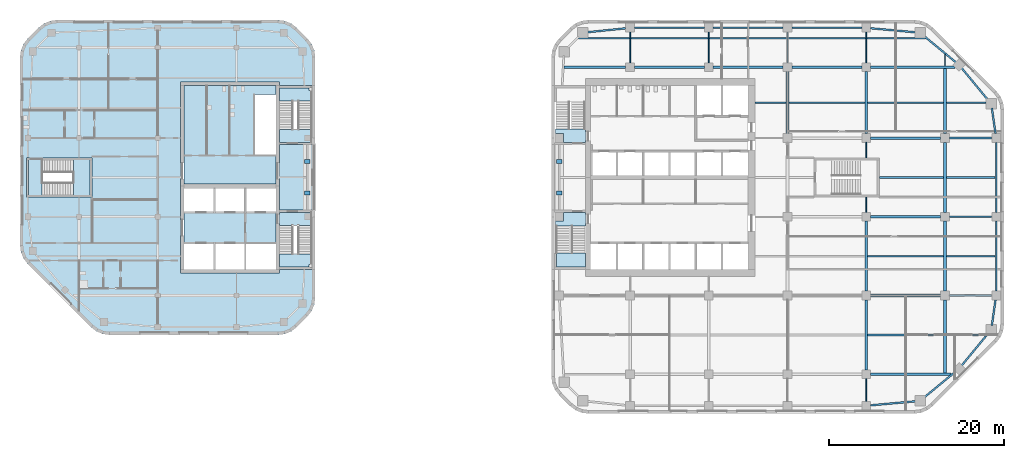
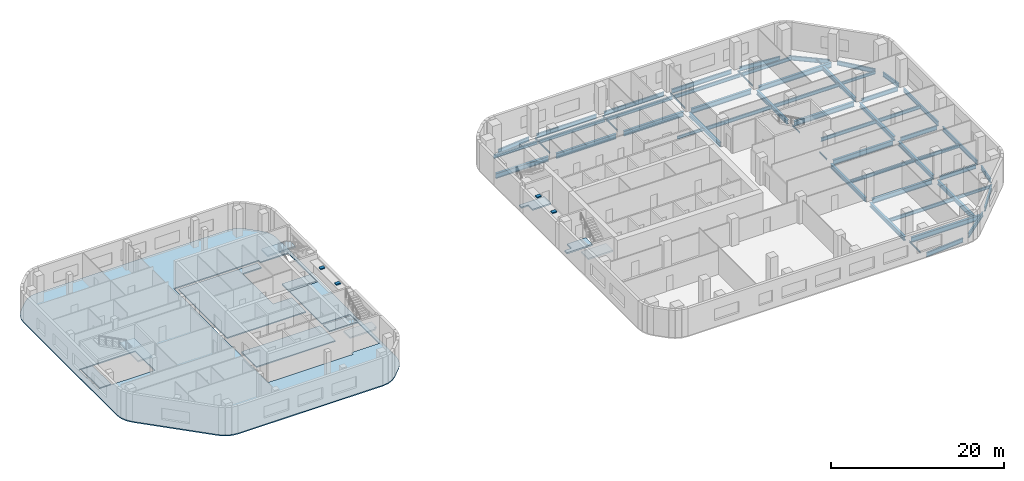
# One storey, part 3 of 14: 57 beams, 12 slabs, 4 members, 5 elements without a shape of their own.
"""IFC4 building model written with IfcOpenShell, lengths in metres."""

from ifc_helpers import new_model, si_unit, direction, frame, origin, origin_2d, place, context, subcontext, project, spatial, polyline, rectangle, i_section, outline, extrude, material, layer, layer_set, material_profile, profile_set, type_object, element, aggregate, save


model = new_model("IFC4")

# Units and contexts
model_context = context("Model", 3, precision=1e-05, world=origin(), true_north=direction((0.0, 1.0)))
body_context = subcontext(model_context, "Body", "Model", "MODEL_VIEW")
ifc_project = project(units=[si_unit("LENGTHUNIT", "METRE"), si_unit("AREAUNIT", "SQUARE_METRE"), si_unit("VOLUMEUNIT", "CUBIC_METRE"), si_unit("PLANEANGLEUNIT", "RADIAN"), si_unit("MASSUNIT", "GRAM", prefix="KILO")], contexts=[model_context])

# Site, building, storey
site_placement = place(None, origin())
site = spatial("IfcSite", under=ifc_project, at=site_placement, CompositionType="ELEMENT")
building_placement = place(site_placement, origin())
building = spatial("IfcBuilding", under=site, at=building_placement, Name="Cinnabar Reach Civic Tower", CompositionType="ELEMENT")
storey_placement = place(building_placement, frame((0.0, 0.0, 136.0)))
storey = spatial("IfcBuildingStorey", under=building, at=storey_placement, Name="L32", CompositionType="ELEMENT", Elevation=136.0)

# Beams
ifc_material_1 = material(Name="Steel Q355B", Category="steel")
ifc_material_profile_1 = material_profile(ifc_material_1, i_section(OverallWidth=0.302, OverallDepth=0.594, WebThickness=0.014, FlangeThickness=0.023, FilletRadius=0.016, at=origin_2d()), Name="HM594x302x14x23")
ifc_profile_set_1 = profile_set([ifc_material_profile_1], Name="Steel Q355B")
beam_type_1 = type_object("IfcBeamType", Name="HM594x302x14x23 beam R 180", PredefinedType="BEAM", material=ifc_profile_set_1)
beam_1_placement = place(storey_placement, frame((27.0, 36.502, -0.447), z_axis=(0.0, 1.0, 0.0), x_axis=(-1.0, 0.0, 0.0)))
element("IfcBeam", 1, at=beam_1_placement, inside=storey, type_object=beam_type_1, Name="Girder T1 L32 13", PredefinedType="BEAM", context=body_context, shape_type="SweptSolid", body=[
    extrude(i_section(OverallWidth=0.302, OverallDepth=0.594, WebThickness=0.014, FlangeThickness=0.023, FilletRadius=0.016, at=origin_2d()), origin(), (0.0, 0.0, 1.0), 7.096),
])
for number, where, z_axis, x_axis, name in (
    (2, (36.0, 9.502, -0.447), (0.0, 1.0, 0.0), (-1.0, 0.0, 0.0), "Girder T1 L32 16"),
    (3, (36.0, 18.502, -0.447), (0.0, 1.0, 0.0), (-1.0, 0.0, 0.0), "Girder T1 L32 17"),
):
    element("IfcBeam", number, at=place(storey_placement, frame(where, z_axis=z_axis, x_axis=x_axis)), inside=storey, type_object=beam_type_1, Name=name, PredefinedType="BEAM", context=body_context, shape_type="SweptSolid", body=[
        extrude(i_section(OverallWidth=0.302, OverallDepth=0.594, WebThickness=0.014, FlangeThickness=0.023, FilletRadius=0.016, at=origin_2d()), origin(), (0.0, 0.0, 1.0), 7.996),
    ])
beam_2_placement = place(storey_placement, frame((36.0, 36.502, -0.447), z_axis=(0.0, 1.0, 0.0), x_axis=(-1.0, 0.0, 0.0)))
element("IfcBeam", 4, at=beam_2_placement, inside=storey, type_object=beam_type_1, Name="Girder T1 L32 20", PredefinedType="BEAM", context=body_context, shape_type="SweptSolid", body=[
    extrude(i_section(OverallWidth=0.302, OverallDepth=0.594, WebThickness=0.014, FlangeThickness=0.023, FilletRadius=0.016, at=origin_2d()), origin(), (0.0, 0.0, 1.0), 7.096),
])
beam_3_placement = place(storey_placement, frame((45.0, 9.152, -0.447), z_axis=(0.0, 1.0, 0.0), x_axis=(-1.0, 0.0, 0.0)))
element("IfcBeam", 5, at=beam_3_placement, inside=storey, type_object=beam_type_1, Name="Girder T1 L32 22", PredefinedType="BEAM", context=body_context, shape_type="SweptSolid", body=[
    extrude(i_section(OverallWidth=0.302, OverallDepth=0.594, WebThickness=0.014, FlangeThickness=0.023, FilletRadius=0.016, at=origin_2d()), origin(), (0.0, 0.0, 1.0), 8.346),
])
for number, where, z_axis, x_axis, name in (
    (6, (45.0, 18.502, -0.447), (0.0, 1.0, 0.0), (-1.0, 0.0, 0.0), "Girder T1 L32 23"),
    (7, (45.0, 27.502, -0.447), (0.0, 1.0, 0.0), (-1.0, 0.0, 0.0), "Girder T1 L32 24"),
):
    element("IfcBeam", number, at=place(storey_placement, frame(where, z_axis=z_axis, x_axis=x_axis)), inside=storey, type_object=beam_type_1, Name=name, PredefinedType="BEAM", context=body_context, shape_type="SweptSolid", body=[
        extrude(i_section(OverallWidth=0.302, OverallDepth=0.594, WebThickness=0.014, FlangeThickness=0.023, FilletRadius=0.016, at=origin_2d()), origin(), (0.0, 0.0, 1.0), 7.996),
    ])
beam_4_placement = place(storey_placement, frame((45.0, 36.502, -0.447), z_axis=(0.0, 1.0, 0.0), x_axis=(-1.0, 0.0, 0.0)))
element("IfcBeam", 8, at=beam_4_placement, inside=storey, type_object=beam_type_1, Name="Girder T1 L32 25", PredefinedType="BEAM", context=body_context, shape_type="SweptSolid", body=[
    extrude(i_section(OverallWidth=0.302, OverallDepth=0.594, WebThickness=0.014, FlangeThickness=0.023, FilletRadius=0.016, at=origin_2d()), origin(), (0.0, 0.0, 1.0), 7.446),
])
ifc_material_profile_2 = material_profile(ifc_material_1, i_section(OverallWidth=0.099, OverallDepth=0.198, WebThickness=0.0045, FlangeThickness=0.007, FilletRadius=0.013, at=origin_2d()), Name="HN200x100x5.5x8")
ifc_profile_set_2 = profile_set([ifc_material_profile_2], Name="Steel Q355B")
beam_type_2 = type_object("IfcBeamType", Name="HN200x100x5.5x8 beam R 180", PredefinedType="BEAM", material=ifc_profile_set_2)
for number, where, z_axis, x_axis, name in (
    (9, (9.0, 44.602, -0.249), (0.0, 1.0, 0.0), (-1.0, 0.0, 0.0), "Girder T1 L32 4"),
    (10, (18.0, 44.602, -0.249), (0.0, 1.0, 0.0), (-1.0, 0.0, 0.0), "Girder T1 L32 8"),
    (11, (27.0, 44.602, -0.249), (0.0, 1.0, 0.0), (-1.0, 0.0, 0.0), "Girder T1 L32 14"),
):
    element("IfcBeam", number, at=place(storey_placement, frame(where, z_axis=z_axis, x_axis=x_axis)), inside=storey, type_object=beam_type_2, Name=name, PredefinedType="BEAM", context=body_context, shape_type="SweptSolid", body=[
        extrude(i_section(OverallWidth=0.099, OverallDepth=0.198, WebThickness=0.0045, FlangeThickness=0.007, FilletRadius=0.013, at=origin_2d()), origin(), (0.0, 0.0, 1.0), 3.496),
    ])
beam_5_placement = place(storey_placement, frame((36.0, 5.902, -0.249), z_axis=(0.0, 1.0, 0.0), x_axis=(-1.0, 0.0, 0.0)))
element("IfcBeam", 12, at=beam_5_placement, inside=storey, type_object=beam_type_2, Name="Girder T1 L32 15", PredefinedType="BEAM", context=body_context, shape_type="SweptSolid", body=[
    extrude(i_section(OverallWidth=0.099, OverallDepth=0.198, WebThickness=0.0045, FlangeThickness=0.007, FilletRadius=0.013, at=origin_2d()), origin(), (0.0, 0.0, 1.0), 2.596),
])
for number, where, z_axis, x_axis, name in (
    (13, (36.0, 27.502, -0.249), (0.0, 1.0, 0.0), (-1.0, 0.0, 0.0), "Girder T1 L32 18"),
    (14, (36.0, 33.752, -0.249), (0.0, 1.0, 0.0), (-1.0, 0.0, 0.0), "Girder T1 L32 19"),
):
    element("IfcBeam", number, at=place(storey_placement, frame(where, z_axis=z_axis, x_axis=x_axis)), inside=storey, type_object=beam_type_2, Name=name, PredefinedType="BEAM", context=body_context, shape_type="SweptSolid", body=[
        extrude(i_section(OverallWidth=0.099, OverallDepth=0.198, WebThickness=0.0045, FlangeThickness=0.007, FilletRadius=0.013, at=origin_2d()), origin(), (0.0, 0.0, 1.0), 1.746),
    ])
beam_6_placement = place(storey_placement, frame((36.0, 44.602, -0.249), z_axis=(0.0, 1.0, 0.0), x_axis=(-1.0, 0.0, 0.0)))
element("IfcBeam", 15, at=beam_6_placement, inside=storey, type_object=beam_type_2, Name="Girder T1 L32 21", PredefinedType="BEAM", context=body_context, shape_type="SweptSolid", body=[
    extrude(i_section(OverallWidth=0.099, OverallDepth=0.198, WebThickness=0.0045, FlangeThickness=0.007, FilletRadius=0.013, at=origin_2d()), origin(), (0.0, 0.0, 1.0), 3.496),
])
beam_7_placement = place(storey_placement, frame((45.0, 44.252, -0.249), z_axis=(0.0, 1.0, 0.0), x_axis=(-1.0, 0.0, 0.0)))
element("IfcBeam", 16, at=beam_7_placement, inside=storey, type_object=beam_type_2, Name="Girder T1 L32 26", PredefinedType="BEAM", context=body_context, shape_type="SweptSolid", body=[
    extrude(i_section(OverallWidth=0.099, OverallDepth=0.198, WebThickness=0.0045, FlangeThickness=0.007, FilletRadius=0.013, at=origin_2d()), origin(), (0.0, 0.0, 1.0), 1.3103),
])
ifc_material_profile_3 = material_profile(ifc_material_1, i_section(OverallWidth=0.199, OverallDepth=0.396, WebThickness=0.007, FlangeThickness=0.011, FilletRadius=0.013, at=origin_2d()), Name="HN396x199x7x11")
ifc_profile_set_3 = profile_set([ifc_material_profile_3], Name="Steel Q355B")
beam_type_3 = type_object("IfcBeamType", Name="HN396x199x7x11 beam R 180", PredefinedType="BEAM", material=ifc_profile_set_3)
beam_8_placement = place(storey_placement, frame((45.153, 13.5, -0.348), z_axis=(1.0, 0.0, 0.0), x_axis=(0.0, 1.0, 0.0)))
element("IfcBeam", 17, at=beam_8_placement, inside=storey, type_object=beam_type_3, Name="Secondary beam T1 L32 6", PredefinedType="BEAM", context=body_context, shape_type="SweptSolid", body=[
    extrude(i_section(OverallWidth=0.199, OverallDepth=0.396, WebThickness=0.007, FlangeThickness=0.011, FilletRadius=0.013, at=origin_2d()), origin(), (0.0, 0.0, 1.0), 4.5152),
])
beam_9_placement = place(storey_placement, frame((23.302, 40.05, -0.348), z_axis=(1.0, 0.0, 0.0), x_axis=(0.0, 1.0, 0.0)))
element("IfcBeam", 18, at=beam_9_placement, inside=storey, type_object=beam_type_3, Name="Secondary beam T1 L32 16", PredefinedType="BEAM", context=body_context, shape_type="SweptSolid", body=[
    extrude(i_section(OverallWidth=0.199, OverallDepth=0.396, WebThickness=0.007, FlangeThickness=0.011, FilletRadius=0.013, at=origin_2d()), origin(), (0.0, 0.0, 1.0), 3.545),
])
beam_10_placement = place(storey_placement, frame((45.153, 40.05, -0.348), z_axis=(1.0, 0.0, 0.0), x_axis=(0.0, 1.0, 0.0)))
element("IfcBeam", 19, at=beam_10_placement, inside=storey, type_object=beam_type_3, Name="Secondary beam T1 L32 19", PredefinedType="BEAM", context=body_context, shape_type="SweptSolid", body=[
    extrude(i_section(OverallWidth=0.199, OverallDepth=0.396, WebThickness=0.007, FlangeThickness=0.011, FilletRadius=0.013, at=origin_2d()), origin(), (0.0, 0.0, 1.0), 4.5419),
])
ifc_material_profile_4 = material_profile(ifc_material_1, i_section(OverallWidth=0.199, OverallDepth=0.496, WebThickness=0.009, FlangeThickness=0.014, FilletRadius=0.016, at=origin_2d()), Name="HN496x199x9x14")
ifc_profile_set_4 = profile_set([ifc_material_profile_4], Name="Steel Q355B")
beam_type_4 = type_object("IfcBeamType", Name="HN496x199x9x14 beam R 180", PredefinedType="BEAM", material=ifc_profile_set_4)
for number, where, z_axis, x_axis, name in (
    (20, (36.153, 13.5, -0.398), (1.0, 0.0, 0.0), (0.0, 1.0, 0.0), "Secondary beam T1 L32 5"),
    (21, (36.153, 22.5, -0.398), (1.0, 0.0, 0.0), (0.0, 1.0, 0.0), "Secondary beam T1 L32 9"),
):
    element("IfcBeam", number, at=place(storey_placement, frame(where, z_axis=z_axis, x_axis=x_axis)), inside=storey, type_object=beam_type_4, Name=name, PredefinedType="BEAM", context=body_context, shape_type="SweptSolid", body=[
        extrude(i_section(OverallWidth=0.199, OverallDepth=0.496, WebThickness=0.009, FlangeThickness=0.014, FilletRadius=0.016, at=origin_2d()), origin(), (0.0, 0.0, 1.0), 8.694),
    ])
beam_11_placement = place(storey_placement, frame((45.153, 22.5, -0.398), z_axis=(1.0, 0.0, 0.0), x_axis=(0.0, 1.0, 0.0)))
element("IfcBeam", 22, at=beam_11_placement, inside=storey, type_object=beam_type_4, Name="Secondary beam T1 L32 10", PredefinedType="BEAM", context=body_context, shape_type="SweptSolid", body=[
    extrude(i_section(OverallWidth=0.199, OverallDepth=0.496, WebThickness=0.009, FlangeThickness=0.014, FilletRadius=0.016, at=origin_2d()), origin(), (0.0, 0.0, 1.0), 5.595),
])
beam_12_placement = place(storey_placement, frame((37.502, 31.5, -0.398), z_axis=(1.0, 0.0, 0.0), x_axis=(0.0, 1.0, 0.0)))
element("IfcBeam", 23, at=beam_12_placement, inside=storey, type_object=beam_type_4, Name="Secondary beam T1 L32 14", PredefinedType="BEAM", context=body_context, shape_type="SweptSolid", body=[
    extrude(i_section(OverallWidth=0.199, OverallDepth=0.496, WebThickness=0.009, FlangeThickness=0.014, FilletRadius=0.016, at=origin_2d()), origin(), (0.0, 0.0, 1.0), 7.345),
])
beam_13_placement = place(storey_placement, frame((45.153, 31.5, -0.398), z_axis=(1.0, 0.0, 0.0), x_axis=(0.0, 1.0, 0.0)))
element("IfcBeam", 24, at=beam_13_placement, inside=storey, type_object=beam_type_4, Name="Secondary beam T1 L32 15", PredefinedType="BEAM", context=body_context, shape_type="SweptSolid", body=[
    extrude(i_section(OverallWidth=0.199, OverallDepth=0.496, WebThickness=0.009, FlangeThickness=0.014, FilletRadius=0.016, at=origin_2d()), origin(), (0.0, 0.0, 1.0), 5.595),
])
for number, where, z_axis, x_axis, name in (
    (25, (27.153, 40.05, -0.398), (1.0, 0.0, 0.0), (0.0, 1.0, 0.0), "Secondary beam T1 L32 17"),
    (26, (36.153, 40.05, -0.398), (1.0, 0.0, 0.0), (0.0, 1.0, 0.0), "Secondary beam T1 L32 18"),
):
    element("IfcBeam", number, at=place(storey_placement, frame(where, z_axis=z_axis, x_axis=x_axis)), inside=storey, type_object=beam_type_4, Name=name, PredefinedType="BEAM", context=body_context, shape_type="SweptSolid", body=[
        extrude(i_section(OverallWidth=0.199, OverallDepth=0.496, WebThickness=0.009, FlangeThickness=0.014, FilletRadius=0.016, at=origin_2d()), origin(), (0.0, 0.0, 1.0), 8.694),
    ])
beam_14_placement = place(storey_placement, frame((3.0992, 47.4, -0.398), z_axis=(1.0, 0.0, 0.0), x_axis=(0.0, 1.0, 0.0)))
element("IfcBeam", 27, at=beam_14_placement, inside=storey, type_object=beam_type_4, Name="Secondary beam T1 L32 20", PredefinedType="BEAM", context=body_context, shape_type="SweptSolid", body=[
    extrude(i_section(OverallWidth=0.199, OverallDepth=0.496, WebThickness=0.009, FlangeThickness=0.014, FilletRadius=0.016, at=origin_2d()), origin(), (0.0, 0.0, 1.0), 5.8493),
])
for number, where, z_axis, x_axis, name in (
    (28, (9.0515, 47.4, -0.398), (1.0, 0.0, 0.0), (0.0, 1.0, 0.0), "Secondary beam T1 L32 21"),
    (29, (18.0515, 47.4, -0.398), (1.0, 0.0, 0.0), (0.0, 1.0, 0.0), "Secondary beam T1 L32 22"),
    (30, (27.0515, 47.4, -0.398), (1.0, 0.0, 0.0), (0.0, 1.0, 0.0), "Secondary beam T1 L32 23"),
):
    element("IfcBeam", number, at=place(storey_placement, frame(where, z_axis=z_axis, x_axis=x_axis)), inside=storey, type_object=beam_type_4, Name=name, PredefinedType="BEAM", context=body_context, shape_type="SweptSolid", body=[
        extrude(i_section(OverallWidth=0.199, OverallDepth=0.496, WebThickness=0.009, FlangeThickness=0.014, FilletRadius=0.016, at=origin_2d()), origin(), (0.0, 0.0, 1.0), 8.897),
    ])
beam_15_placement = place(storey_placement, frame((36.0515, 47.4, -0.398), z_axis=(1.0, 0.0, 0.0), x_axis=(0.0, 1.0, 0.0)))
element("IfcBeam", 31, at=beam_15_placement, inside=storey, type_object=beam_type_4, Name="Secondary beam T1 L32 24", PredefinedType="BEAM", context=body_context, shape_type="SweptSolid", body=[
    extrude(i_section(OverallWidth=0.199, OverallDepth=0.496, WebThickness=0.009, FlangeThickness=0.014, FilletRadius=0.016, at=origin_2d()), origin(), (0.0, 0.0, 1.0), 6.7206),
])
ifc_material_profile_5 = material_profile(ifc_material_1, i_section(OverallWidth=0.199, OverallDepth=0.596, WebThickness=0.01, FlangeThickness=0.015, FilletRadius=0.016, at=origin_2d()), Name="HN596x199x10x15")
ifc_profile_set_5 = profile_set([ifc_material_profile_5], Name="Steel Q355B")
beam_type_5 = type_object("IfcBeamType", Name="HN596x199x10x15 beam R 180", PredefinedType="BEAM", material=ifc_profile_set_5)
for number, where, z_axis, x_axis, name in (
    (32, (45.502, 18.0, -0.448), (1.0, 0.0, 0.0), (0.0, 1.0, 0.0), "Girder T1 L32 11"),
    (33, (45.502, 27.0, -0.448), (1.0, 0.0, 0.0), (0.0, 1.0, 0.0), "Girder T1 L32 15"),
    (34, (45.502, 36.0, -0.448), (1.0, 0.0, 0.0), (0.0, 1.0, 0.0), "Girder T1 L32 19"),
):
    element("IfcBeam", number, at=place(storey_placement, frame(where, z_axis=z_axis, x_axis=x_axis)), inside=storey, type_object=beam_type_5, Name=name, PredefinedType="BEAM", context=body_context, shape_type="SweptSolid", body=[
        extrude(i_section(OverallWidth=0.199, OverallDepth=0.596, WebThickness=0.01, FlangeThickness=0.015, FilletRadius=0.016, at=origin_2d()), origin(), (0.0, 0.0, 1.0), 4.846),
    ])
ifc_material_profile_6 = material_profile(ifc_material_1, i_section(OverallWidth=0.2, OverallDepth=0.6, WebThickness=0.011, FlangeThickness=0.017, FilletRadius=0.016, at=origin_2d()), Name="HN600x200x11x17")
ifc_profile_set_6 = profile_set([ifc_material_profile_6], Name="Steel Q355B")
beam_type_6 = type_object("IfcBeamType", Name="HN600x200x11x17 beam R 180", PredefinedType="BEAM", material=ifc_profile_set_6)
beam_16_placement = place(storey_placement, frame((36.502, 5.4452, -0.45), z_axis=(0.995979069281, 0.089586235294, 0.0), x_axis=(-0.089586235294, 0.995979069281, 0.0)))
element("IfcBeam", 35, at=beam_16_placement, inside=storey, type_object=beam_type_6, Name="Edge beam T1 L32 5", PredefinedType="BEAM", context=body_context, shape_type="SweptSolid", body=[
    extrude(i_section(OverallWidth=0.2, OverallDepth=0.6, WebThickness=0.011, FlangeThickness=0.017, FilletRadius=0.016, at=origin_2d()), origin(), (0.0, 0.0, 1.0), 5.1849),
])
for number, where, z_axis, x_axis, name in (
    (36, (42.6301, 6.3507, -0.45), (0.77143827905, 0.6363041581, 0.0), (-0.6363041581, 0.77143827905, 0.0), "Edge beam T1 L32 6"),
    (37, (46.8961, 9.9789, -0.45), (0.6363041581, 0.77143827905, 0.0), (-0.77143827905, 0.6363041581, 0.0), "Edge beam T1 L32 7"),
):
    element("IfcBeam", number, at=place(storey_placement, frame(where, z_axis=z_axis, x_axis=x_axis)), inside=storey, type_object=beam_type_6, Name=name, PredefinedType="BEAM", context=body_context, shape_type="SweptSolid", body=[
        extrude(i_section(OverallWidth=0.2, OverallDepth=0.6, WebThickness=0.011, FlangeThickness=0.017, FilletRadius=0.016, at=origin_2d()), origin(), (0.0, 0.0, 1.0), 4.7198),
    ])
beam_17_placement = place(storey_placement, frame((50.3653, 14.5839, -0.45), z_axis=(0.140489003738, 0.990082238922, 0.0), x_axis=(-0.990082238922, 0.140489003738, 0.0)))
element("IfcBeam", 38, at=beam_17_placement, inside=storey, type_object=beam_type_6, Name="Edge beam T1 L32 8", PredefinedType="BEAM", context=body_context, shape_type="SweptSolid", body=[
    extrude(i_section(OverallWidth=0.2, OverallDepth=0.6, WebThickness=0.011, FlangeThickness=0.017, FilletRadius=0.016, at=origin_2d()), origin(), (0.0, 0.0, 1.0), 2.9433),
])
for number, where, z_axis, x_axis, name in (
    (39, (50.85, 18.502, -0.45), (0.0, 1.0, 0.0), (-1.0, 0.0, 0.0), "Edge beam T1 L32 9"),
    (40, (50.85, 27.502, -0.45), (0.0, 1.0, 0.0), (-1.0, 0.0, 0.0), "Edge beam T1 L32 10"),
):
    element("IfcBeam", number, at=place(storey_placement, frame(where, z_axis=z_axis, x_axis=x_axis)), inside=storey, type_object=beam_type_6, Name=name, PredefinedType="BEAM", context=body_context, shape_type="SweptSolid", body=[
        extrude(i_section(OverallWidth=0.2, OverallDepth=0.6, WebThickness=0.011, FlangeThickness=0.017, FilletRadius=0.016, at=origin_2d()), origin(), (0.0, 0.0, 1.0), 7.996),
    ])
beam_18_placement = place(storey_placement, frame((50.7788, 36.502, -0.45), z_axis=(-0.140489003738, 0.990082238922, 0.0), x_axis=(-0.990082238922, -0.140489003738, 0.0)))
element("IfcBeam", 41, at=beam_18_placement, inside=storey, type_object=beam_type_6, Name="Edge beam T1 L32 11", PredefinedType="BEAM", context=body_context, shape_type="SweptSolid", body=[
    extrude(i_section(OverallWidth=0.2, OverallDepth=0.6, WebThickness=0.011, FlangeThickness=0.017, FilletRadius=0.016, at=origin_2d()), origin(), (0.0, 0.0, 1.0), 2.9433),
])
for number, where, z_axis, x_axis, name in (
    (42, (49.8993, 40.3801, -0.45), (-0.6363041581, 0.77143827905, 0.0), (-0.77143827905, -0.6363041581, 0.0), "Edge beam T1 L32 12"),
    (43, (46.2711, 44.6461, -0.45), (-0.77143827905, 0.6363041581, 0.0), (-0.6363041581, -0.77143827905, 0.0), "Edge beam T1 L32 13"),
):
    element("IfcBeam", number, at=place(storey_placement, frame(where, z_axis=z_axis, x_axis=x_axis)), inside=storey, type_object=beam_type_6, Name=name, PredefinedType="BEAM", context=body_context, shape_type="SweptSolid", body=[
        extrude(i_section(OverallWidth=0.2, OverallDepth=0.6, WebThickness=0.011, FlangeThickness=0.017, FilletRadius=0.016, at=origin_2d()), origin(), (0.0, 0.0, 1.0), 4.7198),
    ])
beam_19_placement = place(storey_placement, frame((41.6661, 48.0903, -0.45), z_axis=(-0.995979069281, 0.089586235294, 0.0), x_axis=(-0.089586235294, -0.995979069281, 0.0)))
element("IfcBeam", 44, at=beam_19_placement, inside=storey, type_object=beam_type_6, Name="Edge beam T1 L32 14", PredefinedType="BEAM", context=body_context, shape_type="SweptSolid", body=[
    extrude(i_section(OverallWidth=0.2, OverallDepth=0.6, WebThickness=0.011, FlangeThickness=0.017, FilletRadius=0.016, at=origin_2d()), origin(), (0.0, 0.0, 1.0), 5.1849),
])
for number, where, z_axis, x_axis, name in (
    (45, (35.498, 48.6, -0.45), (-1.0, 0.0, 0.0), (0.0, -1.0, 0.0), "Edge beam T1 L32 15"),
    (46, (26.498, 48.6, -0.45), (-1.0, 0.0, 0.0), (0.0, -1.0, 0.0), "Edge beam T1 L32 16"),
    (47, (17.498, 48.6, -0.45), (-1.0, 0.0, 0.0), (0.0, -1.0, 0.0), "Edge beam T1 L32 17"),
):
    element("IfcBeam", number, at=place(storey_placement, frame(where, z_axis=z_axis, x_axis=x_axis)), inside=storey, type_object=beam_type_6, Name=name, PredefinedType="BEAM", context=body_context, shape_type="SweptSolid", body=[
        extrude(i_section(OverallWidth=0.2, OverallDepth=0.6, WebThickness=0.011, FlangeThickness=0.017, FilletRadius=0.016, at=origin_2d()), origin(), (0.0, 0.0, 1.0), 7.996),
    ])
beam_20_placement = place(storey_placement, frame((8.498, 48.5486, -0.45), z_axis=(-0.994791228755, -0.101933366432, 0.0), x_axis=(0.101933366432, -0.994791228755, 0.0)))
element("IfcBeam", 48, at=beam_20_placement, inside=storey, type_object=beam_type_6, Name="Edge beam T1 L32 18", PredefinedType="BEAM", context=body_context, shape_type="SweptSolid", body=[
    extrude(i_section(OverallWidth=0.2, OverallDepth=0.6, WebThickness=0.011, FlangeThickness=0.017, FilletRadius=0.016, at=origin_2d()), origin(), (0.0, 0.0, 1.0), 4.4372),
])
ifc_material_profile_7 = material_profile(ifc_material_1, i_section(OverallWidth=0.3, OverallDepth=0.692, WebThickness=0.013, FlangeThickness=0.02, FilletRadius=0.016, at=origin_2d()), Name="HN692x300x13x20")
ifc_profile_set_7 = profile_set([ifc_material_profile_7], Name="Steel Q355B")
beam_type_7 = type_object("IfcBeamType", Name="HN692x300x13x20 beam R 180", PredefinedType="BEAM", material=ifc_profile_set_7)
beam_21_placement = place(storey_placement, frame((36.502, 9.0, -0.496), z_axis=(1.0, 0.0, 0.0), x_axis=(0.0, 1.0, 0.0)))
element("IfcBeam", 49, at=beam_21_placement, inside=storey, type_object=beam_type_7, Name="Girder T1 L32 5", PredefinedType="BEAM", context=body_context, shape_type="SweptSolid", body=[
    extrude(i_section(OverallWidth=0.3, OverallDepth=0.692, WebThickness=0.013, FlangeThickness=0.02, FilletRadius=0.016, at=origin_2d()), origin(), (0.0, 0.0, 1.0), 9.1798),
])
for number, where, z_axis, x_axis, name in (
    (50, (36.502, 18.0, -0.496), (1.0, 0.0, 0.0), (0.0, 1.0, 0.0), "Girder T1 L32 10"),
    (51, (36.502, 27.0, -0.496), (1.0, 0.0, 0.0), (0.0, 1.0, 0.0), "Girder T1 L32 14"),
    (52, (36.502, 36.0, -0.496), (1.0, 0.0, 0.0), (0.0, 1.0, 0.0), "Girder T1 L32 18"),
):
    element("IfcBeam", number, at=place(storey_placement, frame(where, z_axis=z_axis, x_axis=x_axis)), inside=storey, type_object=beam_type_7, Name=name, PredefinedType="BEAM", context=body_context, shape_type="SweptSolid", body=[
        extrude(i_section(OverallWidth=0.3, OverallDepth=0.692, WebThickness=0.013, FlangeThickness=0.02, FilletRadius=0.016, at=origin_2d()), origin(), (0.0, 0.0, 1.0), 7.996),
    ])
beam_22_placement = place(storey_placement, frame((1.4548, 44.1, -0.496), z_axis=(1.0, 0.0, 0.0), x_axis=(0.0, 1.0, 0.0)))
element("IfcBeam", 53, at=beam_22_placement, inside=storey, type_object=beam_type_7, Name="Girder T1 L32 20", PredefinedType="BEAM", context=body_context, shape_type="SweptSolid", body=[
    extrude(i_section(OverallWidth=0.3, OverallDepth=0.692, WebThickness=0.013, FlangeThickness=0.02, FilletRadius=0.016, at=origin_2d()), origin(), (0.0, 0.0, 1.0), 7.0432),
])
for number, where, z_axis, x_axis, name in (
    (54, (9.502, 44.1, -0.496), (1.0, 0.0, 0.0), (0.0, 1.0, 0.0), "Girder T1 L32 21"),
    (55, (18.502, 44.1, -0.496), (1.0, 0.0, 0.0), (0.0, 1.0, 0.0), "Girder T1 L32 22"),
    (56, (27.502, 44.1, -0.496), (1.0, 0.0, 0.0), (0.0, 1.0, 0.0), "Girder T1 L32 23"),
):
    element("IfcBeam", number, at=place(storey_placement, frame(where, z_axis=z_axis, x_axis=x_axis)), inside=storey, type_object=beam_type_7, Name=name, PredefinedType="BEAM", context=body_context, shape_type="SweptSolid", body=[
        extrude(i_section(OverallWidth=0.3, OverallDepth=0.692, WebThickness=0.013, FlangeThickness=0.02, FilletRadius=0.016, at=origin_2d()), origin(), (0.0, 0.0, 1.0), 7.996),
    ])
beam_23_placement = place(storey_placement, frame((36.502, 44.1, -0.496), z_axis=(1.0, 0.0, 0.0), x_axis=(0.0, 1.0, 0.0)))
element("IfcBeam", 57, at=beam_23_placement, inside=storey, type_object=beam_type_7, Name="Girder T1 L32 24", PredefinedType="BEAM", context=body_context, shape_type="SweptSolid", body=[
    extrude(i_section(OverallWidth=0.3, OverallDepth=0.692, WebThickness=0.013, FlangeThickness=0.02, FilletRadius=0.016, at=origin_2d()), origin(), (0.0, 0.0, 1.0), 9.6653),
])

# Members
member_type = type_object("IfcMemberType", Name="Sliding bearing", PredefinedType="USERDEFINED", material=ifc_material_1)
for number, where, z_axis, x_axis, name in (
    (58, (0.9, 29.7, 3.286), (0.0, 0.0, 1.0), (1.0, 0.0, 0.0), "BR2 bearing T1"),
    (59, (0.9, 33.3, 3.286), (0.0, 0.0, 1.0), (1.0, 0.0, 0.0), "BR2 bearing T1"),
    (60, (-27.9, 29.7, 3.286), (0.0, 0.0, 1.0), (1.0, 0.0, 0.0), "BR2 bearing T2"),
    (61, (-27.9, 33.3, 3.286), (0.0, 0.0, 1.0), (1.0, 0.0, 0.0), "BR2 bearing T2"),
):
    element("IfcMember", number, at=place(storey_placement, frame(where, z_axis=z_axis, x_axis=x_axis)), inside=storey, type_object=member_type, Name=name, ObjectType="BEARING", PredefinedType="USERDEFINED", context=body_context, shape_type="SweptSolid", body=[
        extrude(rectangle(XDim=0.6, YDim=0.45, at=origin_2d()), origin(), (0.0, 0.0, 1.0), 0.15),
    ])

# Slab
ifc_material_2 = material(Name="Concrete C40", Category="concrete")
ifc_layer_1 = layer(ifc_material_2, 0.15)
ifc_layer_set_1 = layer_set([ifc_layer_1], Name="Composite floor slab 150 REI 120")
slab_type_1 = type_object("IfcSlabType", Name="Composite floor slab 150 REI 120", PredefinedType="FLOOR", material=ifc_layer_set_1)
slab_1_placement = place(storey_placement, frame((0.0, 0.0, -0.15)))
element("IfcSlab", 62, at=slab_1_placement, inside=storey, type_object=slab_type_1, Name="Composite floor slab 150 T2 L32", PredefinedType="FLOOR", context=body_context, shape_type="SweptSolid", body=[
    extrude(outline(polyline([(-59.8713, 21.6213), (-60.3481, 22.2426), (-60.6478, 22.9662), (-60.75, 23.7426), (-60.75, 45.2574), (-60.6478, 46.0338), (-60.3481, 46.7574), (-59.8713, 47.3787), (-58.6287, 48.6213), (-58.0074, 49.0981), (-57.2838, 49.3978), (-56.5074, 49.5), (-31.2426, 49.5), (-30.4662, 49.3978), (-29.7426, 49.0981), (-29.1213, 48.6213), (-27.8787, 47.3787), (-27.4019, 46.7574), (-27.1022, 46.0338), (-27.0, 45.2574), (-27.0, 17.7426), (-27.1022, 16.9662), (-27.4019, 16.2426), (-27.8787, 15.6213), (-29.1213, 14.3787), (-29.7426, 13.9019), (-30.4662, 13.6022), (-31.2426, 13.5), (-50.5074, 13.5), (-51.2838, 13.6022), (-52.0074, 13.9019), (-52.6287, 14.3787), (-59.8713, 21.6213)]), holes=[polyline([(-31.1, 27.75), (-31.1, 35.25), (-27.36, 35.25), (-27.36, 42.0), (-31.1, 42.0), (-31.1, 42.4), (-42.4, 42.4), (-42.4, 20.6), (-31.1, 20.6), (-31.1, 21.0), (-27.36, 21.0), (-27.36, 27.75), (-31.1, 27.75)]), polyline([(-60.0, 33.75), (-60.0, 29.25), (-52.5, 29.25), (-52.5, 33.75), (-60.0, 33.75)])]), origin(), (0.0, 0.0, 1.0), 0.15),
])

# Stair, slabs
ifc_material_3 = material(Name="Concrete C40/50", Category="concrete")
stair_type_1 = type_object("IfcStairType", Name="T1 Exit stair, half-turn", PredefinedType="HALF_TURN_STAIR", material=ifc_material_3)
stair_1_placement = place(storey_placement, origin())
stair_1 = element("IfcStair", 63, at=stair_1_placement, inside=storey, type_object=stair_type_1, Name="Stair T1-S1", PredefinedType="HALF_TURN_STAIR")
ifc_layer_2 = layer(ifc_material_3, 0.2)
ifc_layer_set_2 = layer_set([ifc_layer_2], Name="T1 Stair landing 200, Concrete C40/50")
slab_type_2 = type_object("IfcSlabType", Name="T1 Stair landing 200, Concrete C40/50", PredefinedType="LANDING", material=ifc_layer_set_2)
slab_2_placement = place(storey_placement, frame((0.0, 0.0, -0.2)))
slab_2 = element("IfcSlab", 64, at=slab_2_placement, type_object=slab_type_2, Name="T1-S1 landing 1", PredefinedType="LANDING", context=body_context, shape_type="SweptSolid", body=[
    extrude(outline(polyline([(3.9, 27.5), (3.9, 25.95), (0.5, 25.95), (0.5, 26.5), (1.4, 26.5), (1.4, 27.5), (3.9, 27.5)])), origin(), (0.0, 0.0, 1.0), 0.2),
])
slab_3_placement = place(storey_placement, frame((0.0, 0.0, 1.8)))
slab_3 = element("IfcSlab", 65, at=slab_3_placement, type_object=slab_type_2, Name="T1-S1 landing 2", PredefinedType="LANDING", context=body_context, shape_type="SweptSolid", body=[
    extrude(outline(polyline([(0.6, 21.25), (0.6, 22.87), (3.9, 22.87), (3.9, 21.25), (0.6, 21.25)])), origin(), (0.0, 0.0, 1.0), 0.2),
])
aggregate(stair_1, [slab_2, slab_3])

# Stair, slab
stair_2_placement = place(storey_placement, origin())
stair_2 = element("IfcStair", 66, at=stair_2_placement, inside=storey, type_object=stair_type_1, Name="Stair T1-S2", PredefinedType="HALF_TURN_STAIR")
slab_4_placement = place(storey_placement, frame((0.0, 0.0, -0.2)))
slab_4 = element("IfcSlab", 67, at=slab_4_placement, type_object=slab_type_2, Name="T1-S2 landing 1", PredefinedType="LANDING", context=body_context, shape_type="SweptSolid", body=[
    extrude(outline(polyline([(0.5, 37.05), (3.9, 37.05), (3.9, 35.5), (1.4, 35.5), (1.4, 36.5), (0.5, 36.5), (0.5, 37.05)])), origin(), (0.0, 0.0, 1.0), 0.2),
])
aggregate(stair_2, [slab_4])

# Slabs
ifc_layer_3 = layer(ifc_material_2, 0.15)
ifc_layer_set_3 = layer_set([ifc_layer_3], Name="T2 Core floor slab 150")
slab_type_3 = type_object("IfcSlabType", Name="T2 Core floor slab 150", PredefinedType="FLOOR", material=ifc_layer_set_3)
slab_5_placement = place(storey_placement, frame((0.0, 0.0, -0.15)))
element("IfcSlab", 68, at=slab_5_placement, inside=storey, type_object=slab_type_3, Name="Core floor slab L32", PredefinedType="FLOOR", context=body_context, shape_type="SweptSolid", body=[
    extrude(outline(polyline([(-42.0, 42.0), (-31.5, 42.0), (-31.5, 41.0), (-34.0, 41.0), (-34.0, 34.0), (-31.5, 34.0), (-31.5, 30.75), (-42.0, 30.75), (-42.0, 42.0)])), origin(), (0.0, 0.0, 1.0), 0.15),
])
slab_6_placement = place(storey_placement, frame((0.0, 0.0, -0.15)))
element("IfcSlab", 69, at=slab_6_placement, inside=storey, type_object=slab_type_3, Name="Core floor slab L32", PredefinedType="FLOOR", context=body_context, shape_type="SweptSolid", body=[
    extrude(outline(polyline([(-35.0, 24.0), (-38.5, 24.0), (-42.0, 24.0), (-42.0, 27.5), (-38.5, 27.5), (-35.0, 27.5), (-31.5, 27.5), (-31.5, 24.0), (-35.0, 24.0)])), origin(), (0.0, 0.0, 1.0), 0.15),
])

# Stair, slabs
stair_type_2 = type_object("IfcStairType", Name="T2 Exit stair 1500", PredefinedType="HALF_TURN_STAIR", material=ifc_material_2)
stair_3_placement = place(storey_placement, origin())
stair_3 = element("IfcStair", 70, at=stair_3_placement, inside=storey, type_object=stair_type_2, Name="Exit stair 1", PredefinedType="HALF_TURN_STAIR")
ifc_layer_4 = layer(ifc_material_2, 0.2)
ifc_layer_set_4 = layer_set([ifc_layer_4], Name="T2 Stair landing 200")
slab_type_4 = type_object("IfcSlabType", Name="T2 Stair landing 200", PredefinedType="LANDING", material=ifc_layer_set_4)
slab_7_placement = place(storey_placement, frame((0.0, 0.0, -0.2)))
slab_7 = element("IfcSlab", 71, at=slab_7_placement, type_object=slab_type_4, Name="ST1 landing 1", PredefinedType="LANDING", context=body_context, shape_type="SweptSolid", body=[
    extrude(outline(polyline([(-31.1, 26.0), (-31.1, 27.5), (-27.4, 27.5), (-27.4, 26.0), (-31.1, 26.0)])), origin(), (0.0, 0.0, 1.0), 0.2),
])
slab_8_placement = place(storey_placement, frame((0.0, 0.0, 1.8)))
slab_8 = element("IfcSlab", 72, at=slab_8_placement, type_object=slab_type_4, Name="ST1 landing 2", PredefinedType="LANDING", context=body_context, shape_type="SweptSolid", body=[
    extrude(outline(polyline([(-31.1, 21.25), (-31.1, 22.75), (-27.4, 22.75), (-27.4, 21.55), (-27.7, 21.55), (-27.7, 21.25), (-31.1, 21.25)])), origin(), (0.0, 0.0, 1.0), 0.2),
])
aggregate(stair_3, [slab_7, slab_8])

stair_4_placement = place(storey_placement, origin())
stair_4 = element("IfcStair", 73, at=stair_4_placement, inside=storey, type_object=stair_type_2, Name="Exit stair 2", PredefinedType="HALF_TURN_STAIR")
slab_9_placement = place(storey_placement, frame((0.0, 0.0, -0.2)))
slab_9 = element("IfcSlab", 74, at=slab_9_placement, type_object=slab_type_4, Name="ST2 landing 1", PredefinedType="LANDING", context=body_context, shape_type="SweptSolid", body=[
    extrude(outline(polyline([(-31.1, 35.5), (-31.1, 37.0), (-27.4, 37.0), (-27.4, 35.5), (-31.1, 35.5)])), origin(), (0.0, 0.0, 1.0), 0.2),
])
slab_10_placement = place(storey_placement, frame((0.0, 0.0, 1.8)))
slab_10 = element("IfcSlab", 75, at=slab_10_placement, type_object=slab_type_4, Name="ST2 landing 2", PredefinedType="LANDING", context=body_context, shape_type="SweptSolid", body=[
    extrude(outline(polyline([(-27.4, 40.25), (-31.1, 40.25), (-31.1, 41.75), (-27.7, 41.75), (-27.7, 41.45), (-27.4, 41.45), (-27.4, 40.25)])), origin(), (0.0, 0.0, 1.0), 0.2),
])
aggregate(stair_4, [slab_9, slab_10])

stair_5_placement = place(storey_placement, origin())
stair_5 = element("IfcStair", 76, at=stair_5_placement, inside=storey, type_object=stair_type_2, Name="Exit stair 3", PredefinedType="HALF_TURN_STAIR")
slab_11_placement = place(storey_placement, frame((0.0, 0.0, -0.2)))
slab_11 = element("IfcSlab", 77, at=slab_11_placement, type_object=slab_type_4, Name="ST3 landing 1", PredefinedType="LANDING", context=body_context, shape_type="SweptSolid", body=[
    extrude(outline(polyline([(-59.75, 29.375), (-59.75, 33.625), (-58.25, 33.625), (-58.25, 29.375), (-59.75, 29.375)])), origin(), (0.0, 0.0, 1.0), 0.2),
])
slab_12_placement = place(storey_placement, frame((0.0, 0.0, 1.8)))
slab_12 = element("IfcSlab", 78, at=slab_12_placement, type_object=slab_type_4, Name="ST3 landing 2", PredefinedType="LANDING", context=body_context, shape_type="SweptSolid", body=[
    extrude(outline(polyline([(-54.65, 29.375), (-54.65, 33.625), (-52.75, 33.625), (-52.75, 29.375), (-54.65, 29.375)])), origin(), (0.0, 0.0, 1.0), 0.2),
])
aggregate(stair_5, [slab_11, slab_12])

save(model, "model.ifc")
